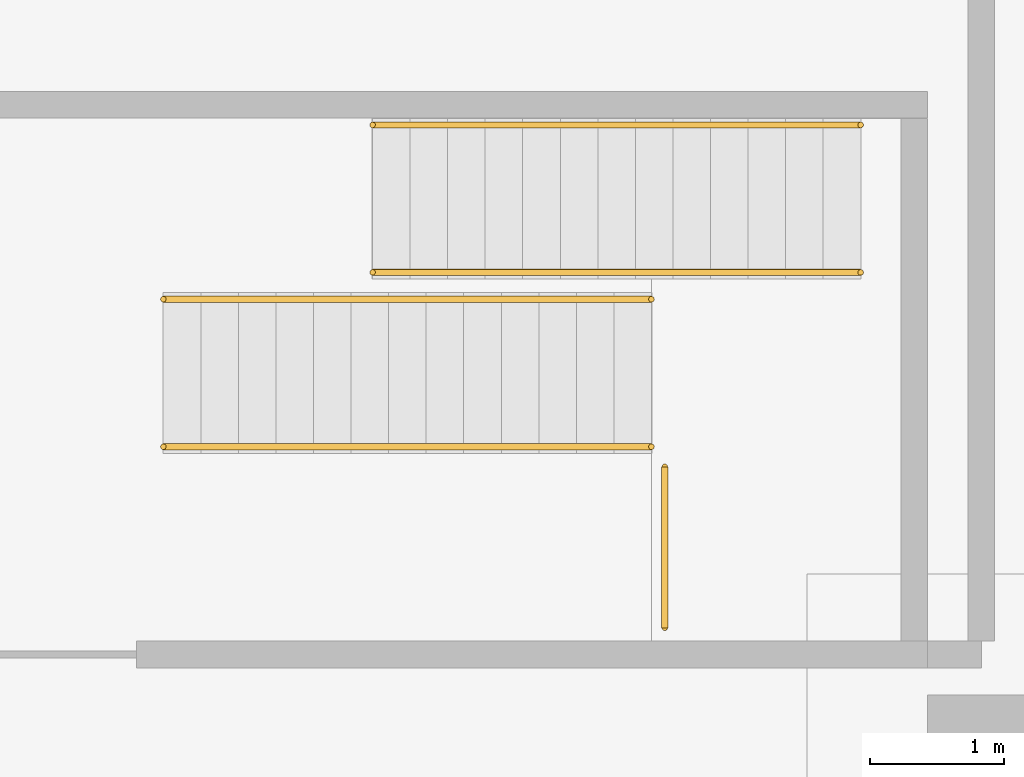
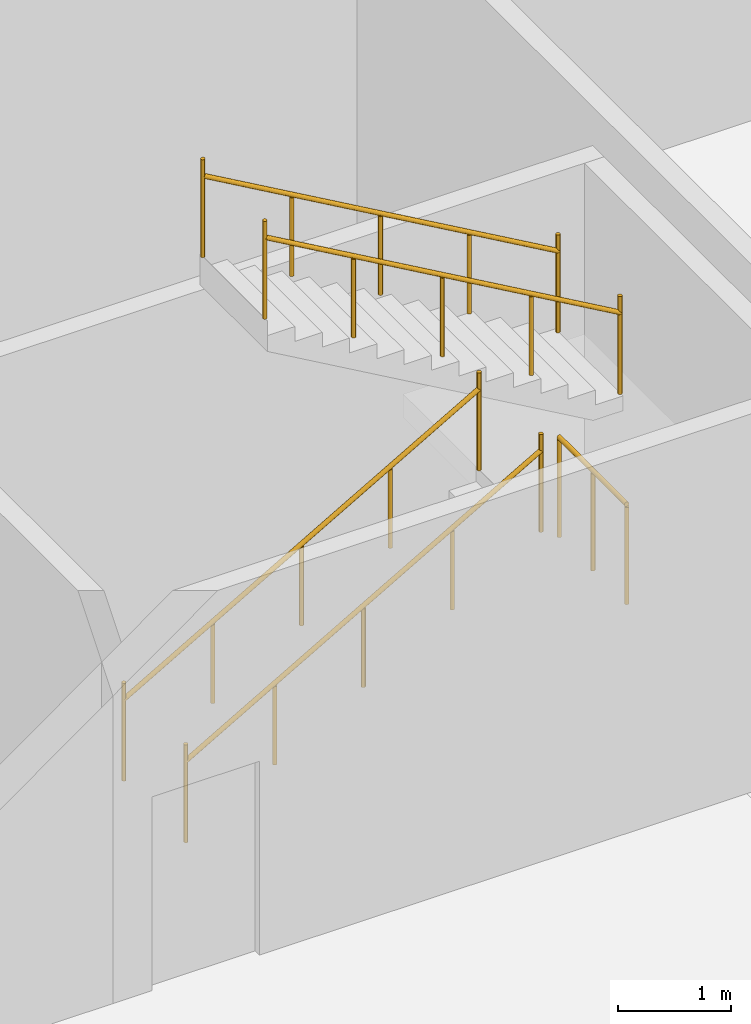
# One storey, part 18 of 19: 5 railings.
"""IFC4 building model written with IfcOpenShell, lengths in metres."""

from ifc_helpers import new_model, si_unit, direction, frame, origin, origin_2d, place, context, subcontext, project, spatial, circle, extrude, material, type_object, element, save


model = new_model("IFC4")

# Units and contexts
model_context = context("Model", 3, precision=1e-05, world=origin(), true_north=direction((0.0, 1.0)))
body_context = subcontext(model_context, "Body", "Model", "MODEL_VIEW")
ifc_project = project(units=[si_unit("LENGTHUNIT", "METRE"), si_unit("AREAUNIT", "SQUARE_METRE"), si_unit("VOLUMEUNIT", "CUBIC_METRE"), si_unit("PLANEANGLEUNIT", "RADIAN"), si_unit("MASSUNIT", "GRAM", prefix="KILO")], contexts=[model_context])

# Site, building, storey
site_placement = place(None, origin())
site = spatial("IfcSite", under=ifc_project, at=site_placement, CompositionType="ELEMENT")
building_placement = place(site_placement, origin())
building = spatial("IfcBuilding", under=site, at=building_placement, Name="Qaws Garden Tower", CompositionType="ELEMENT")
storey_placement = place(building_placement, frame((0.0, 0.0, -9.0)))
storey = spatial("IfcBuildingStorey", under=building, at=storey_placement, Name="B2", CompositionType="ELEMENT", Elevation=-9.0)

# Railings
ifc_material_1 = material(Name="Steel S355", Category="steel")
railing_type_1 = type_object("IfcRailingType", Name="Guard steel balustrade 1100", PredefinedType="GUARDRAIL", material=ifc_material_1)
railing_placement = place(storey_placement, frame((97.639892578125, 100.89990234375, 2.25)))
element("IfcRailing", 1, at=railing_placement, inside=storey, type_object=railing_type_1, Name="Stair landing guard", PredefinedType="GUARDRAIL", context=body_context, shape_type="SweptSolid", body=[
    extrude(circle(Radius=0.02392578125, at=origin_2d()), frame((0.0, 0.0, 1.076171875), z_axis=(0.0, 1.0, 0.0), x_axis=(-1.0, 0.0, 0.0)), (0.0, 0.0, 1.0), 1.2001953125),
    extrude(circle(Radius=0.02099609375, at=origin_2d()), origin(), (0.0, 0.0, 1.0), 1.052001953125),
    extrude(circle(Radius=0.02099609375, at=origin_2d()), frame((0.0, 0.60009765625, 0.0)), (0.0, 0.0, 1.0), 1.052001953125),
    extrude(circle(Radius=0.02099609375, at=origin_2d()), frame((0.0, 1.2001953125, 0.0)), (0.0, 0.0, 1.0), 1.052001953125),
])
ifc_material_2 = material(Name="Stainless steel 316", Category="steel")
railing_type_2 = type_object("IfcRailingType", Name="Handrail 900", PredefinedType="HANDRAIL", material=ifc_material_2)
for number, where, name in (
    (2, (93.89990234375, 102.25, 0.16064453125), "Stair handrail"),
    (3, (93.89990234375, 103.35009765625, 0.16064453125), "Stair handrail"),
):
    element("IfcRailing", number, at=place(storey_placement, frame(where)), inside=storey, type_object=railing_type_2, Name=name, PredefinedType="HANDRAIL", context=body_context, shape_type="SweptSolid", body=[
        extrude(circle(Radius=0.02392578125, at=origin_2d()), frame((0.0, 0.0, 0.8759765625), z_axis=(0.867289372828, 0.0, 0.497804322781), x_axis=(0.0, 1.0, 0.0)), (0.0, 0.0, 1.0), 4.197021484375),
        extrude(circle(Radius=0.02099609375, at=origin_2d()), origin(), (0.0, 0.0, 1.0), 1.06103515625),
        extrude(circle(Radius=0.02099609375, at=origin_2d()), frame((0.91015625, 0.0, 0.5224609375)), (0.0, 0.0, 1.0), 0.851806640625),
        extrude(circle(Radius=0.02099609375, at=origin_2d()), frame((1.820068359375, 0.0, 1.044677734375)), (0.0, 0.0, 1.0), 0.851806640625),
        extrude(circle(Radius=0.02099609375, at=origin_2d()), frame((2.72998046875, 0.0, 1.56689453125)), (0.0, 0.0, 1.0), 0.851806640625),
        extrude(circle(Radius=0.02099609375, at=origin_2d()), frame((3.64013671875, 0.0, 2.08935546875)), (0.0, 0.0, 1.0), 1.06103515625),
    ])
for number, where, name in (
    (4, (99.10009765625, 103.550048828125, 2.41064453125), "Stair handrail"),
    (5, (99.10009765625, 104.64990234375, 2.41064453125), "Stair handrail"),
):
    element("IfcRailing", number, at=place(storey_placement, frame(where)), inside=storey, type_object=railing_type_2, Name=name, PredefinedType="HANDRAIL", context=body_context, shape_type="SweptSolid", body=[
        extrude(circle(Radius=0.02392578125, at=origin_2d()), frame((0.0, 0.0, 0.8759765625), z_axis=(-0.867289372828, 0.0, 0.497804322781), x_axis=(0.0, -1.0, 0.0)), (0.0, 0.0, 1.0), 4.197021484375),
        extrude(circle(Radius=0.02099609375, at=origin_2d()), origin(), (0.0, 0.0, 1.0), 1.06103515625),
        extrude(circle(Radius=0.02099609375, at=origin_2d()), frame((-0.91015625, 0.0, 0.5224609375)), (0.0, 0.0, 1.0), 0.851806640625),
        extrude(circle(Radius=0.02099609375, at=origin_2d()), frame((-1.820068359375, 0.0, 1.044677734375)), (0.0, 0.0, 1.0), 0.851806640625),
        extrude(circle(Radius=0.02099609375, at=origin_2d()), frame((-2.72998046875, 0.0, 1.56689453125)), (0.0, 0.0, 1.0), 0.851806640625),
        extrude(circle(Radius=0.02099609375, at=origin_2d()), frame((-3.64013671875, 0.0, 2.08935546875)), (0.0, 0.0, 1.0), 1.06103515625),
    ])

save(model, "model.ifc")
